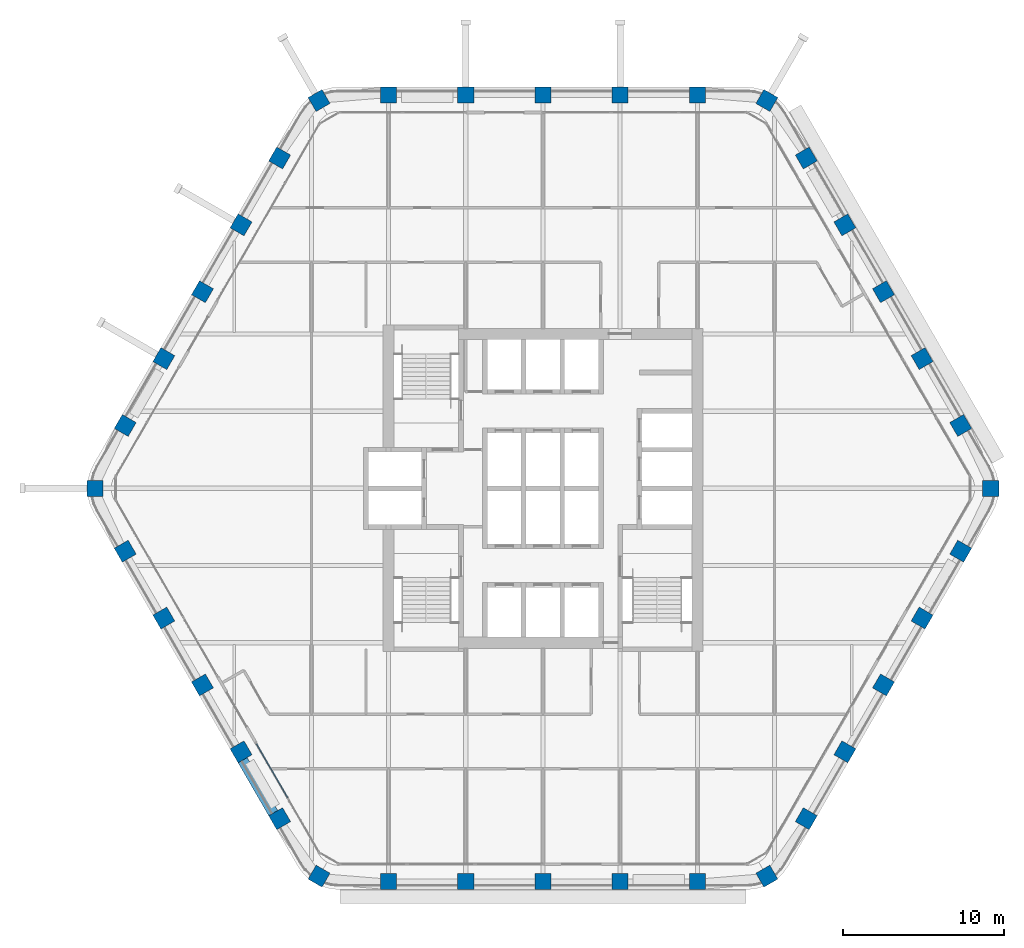
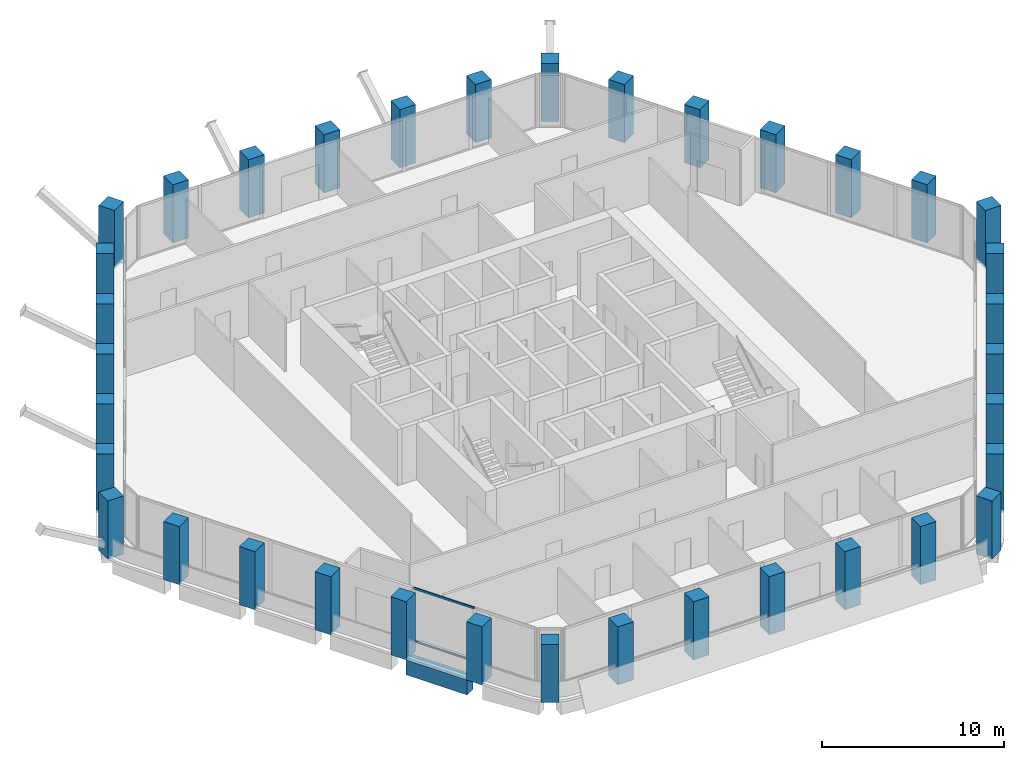
# One storey, part 1 of 16: 36 columns, 2 members, 1 beam, 1 element without a shape of its own.
"""IFC4 building model written with IfcOpenShell, lengths in metres."""

from ifc_helpers import new_model, si_unit, direction, frame, origin, origin_2d, place, context, subcontext, project, spatial, rectangle, extrude, material, material_profile, profile_set, type_object, element, aggregate, save


model = new_model("IFC4")

# Units and contexts
model_context = context("Model", 3, precision=1e-05, world=origin(), true_north=direction((0.0, 1.0)))
body_context = subcontext(model_context, "Body", "Model", "MODEL_VIEW")
ifc_project = project(units=[si_unit("LENGTHUNIT", "METRE"), si_unit("AREAUNIT", "SQUARE_METRE"), si_unit("VOLUMEUNIT", "CUBIC_METRE"), si_unit("PLANEANGLEUNIT", "RADIAN"), si_unit("MASSUNIT", "GRAM", prefix="KILO")], contexts=[model_context])

# Site, building, storey
site_placement = place(None, origin())
site = spatial("IfcSite", under=ifc_project, at=site_placement, CompositionType="ELEMENT")
building_placement = place(site_placement, origin())
building = spatial("IfcBuilding", under=site, at=building_placement, Name="Kolab Exchange Tower", CompositionType="ELEMENT")
storey_placement = place(building_placement, frame((0.0, 0.0, 146.60009765625)))
storey = spatial("IfcBuildingStorey", under=building, at=storey_placement, Name="L29", CompositionType="ELEMENT", Elevation=146.60009765625)

# Columns
ifc_material_1 = material(Name="Concrete C60/75", Category="concrete")
ifc_material_profile_1 = material_profile(ifc_material_1, rectangle(XDim=1.0, YDim=1.0, at=origin_2d()), Name="RC1000")
ifc_profile_set_1 = profile_set([ifc_material_profile_1], Name="Concrete C60/75")
column_type = type_object("IfcColumnType", Name="PERIMETER COLUMN 1000 SQ C60/75", PredefinedType="COLUMN", material=ifc_profile_set_1)
for number, where, z_axis, x_axis, name in (
    (1, (-13.91796875, 24.106689453125, -0.150146484375), (0.0, 0.0, 1.0), (0.866025403784, 0.5, 0.0), "col/L29/F1-01"),
    (2, (-9.60009765625, 24.441650390625, -0.150146484375), (0.0, 0.0, 1.0), (1.0, 0.0, 0.0), "col/L29/F1-02"),
    (3, (-4.800048828125, 24.441650390625, -0.150146484375), (0.0, 0.0, 1.0), (1.0, 0.0, 0.0), "col/L29/F1-03"),
    (4, (0.0, 24.441650390625, -0.150146484375), (0.0, 0.0, 1.0), (1.0, 0.0, 0.0), "col/L29/F1-04"),
    (5, (4.800048828125, 24.441650390625, -0.150146484375), (0.0, 0.0, 1.0), (1.0, 0.0, 0.0), "col/L29/F1-05"),
    (6, (9.60009765625, 24.441650390625, -0.150146484375), (0.0, 0.0, 1.0), (1.0, 0.0, 0.0), "col/L29/F1-06"),
    (7, (13.91796875, 24.106689453125, -0.150146484375), (0.0, 0.0, 1.0), (0.5, 0.866025403784, 0.0), "col/L29/F2-01"),
    (8, (16.366943359375, 20.53466796875, -0.150146484375), (0.0, 0.0, 1.0), (0.866025403784, 0.5, 0.0), "col/L29/F2-02"),
    (9, (18.76708984375, 16.377685546875, -0.150146484375), (0.0, 0.0, 1.0), (0.866025403784, 0.5, 0.0), "col/L29/F2-03"),
    (10, (21.1669921875, 12.220703125, -0.150146484375), (0.0, 0.0, 1.0), (0.866025403784, 0.5, 0.0), "col/L29/F2-04"),
    (11, (23.56689453125, 8.06396484375, -0.150146484375), (0.0, 0.0, 1.0), (0.866025403784, 0.5, 0.0), "col/L29/F2-05"),
    (12, (25.967041015625, 3.906982421875, -0.150146484375), (0.0, 0.0, 1.0), (0.866025403784, 0.5, 0.0), "col/L29/F2-06"),
    (13, (27.8359375, 0.0, -0.150146484375), (0.0, 0.0, 1.0), (1.0, 0.0, 0.0), "col/L29/F3-01"),
    (14, (25.967041015625, -3.906982421875, -0.150146484375), (0.0, 0.0, 1.0), (0.5, 0.866025403784, 0.0), "col/L29/F3-02"),
    (15, (23.56689453125, -8.06396484375, -0.150146484375), (0.0, 0.0, 1.0), (0.5, 0.866025403784, 0.0), "col/L29/F3-03"),
    (16, (21.1669921875, -12.220703125, -0.150146484375), (0.0, 0.0, 1.0), (0.5, 0.866025403784, 0.0), "col/L29/F3-04"),
    (17, (18.76708984375, -16.377685546875, -0.150146484375), (0.0, 0.0, 1.0), (0.5, 0.866025403784, 0.0), "col/L29/F3-05"),
    (18, (16.366943359375, -20.53466796875, -0.150146484375), (0.0, 0.0, 1.0), (0.5, 0.866025403784, 0.0), "col/L29/F3-06"),
    (19, (13.91796875, -24.106689453125, -0.150146484375), (0.0, 0.0, 1.0), (0.866025403784, 0.5, 0.0), "col/L29/F4-01"),
    (20, (9.60009765625, -24.441650390625, -0.150146484375), (0.0, 0.0, 1.0), (1.0, 0.0, 0.0), "col/L29/F4-02"),
    (21, (4.800048828125, -24.441650390625, -0.150146484375), (0.0, 0.0, 1.0), (1.0, 0.0, 0.0), "col/L29/F4-03"),
    (22, (0.0, -24.441650390625, -0.150146484375), (0.0, 0.0, 1.0), (1.0, 0.0, 0.0), "col/L29/F4-04"),
    (23, (-4.800048828125, -24.441650390625, -0.150146484375), (0.0, 0.0, 1.0), (1.0, 0.0, 0.0), "col/L29/F4-05"),
    (24, (-9.60009765625, -24.441650390625, -0.150146484375), (0.0, 0.0, 1.0), (1.0, 0.0, 0.0), "col/L29/F4-06"),
    (25, (-13.91796875, -24.106689453125, -0.150146484375), (0.0, 0.0, 1.0), (0.5, 0.866025403784, 0.0), "col/L29/F5-01"),
    (26, (-16.366943359375, -20.53466796875, -0.150146484375), (0.0, 0.0, 1.0), (0.866025403784, 0.5, 0.0), "col/L29/F5-02"),
    (27, (-18.76708984375, -16.377685546875, -0.150146484375), (0.0, 0.0, 1.0), (0.866025403784, 0.5, 0.0), "col/L29/F5-03"),
    (28, (-21.1669921875, -12.220703125, -0.150146484375), (0.0, 0.0, 1.0), (0.866025403784, 0.5, 0.0), "col/L29/F5-04"),
    (29, (-23.56689453125, -8.06396484375, -0.150146484375), (0.0, 0.0, 1.0), (0.866025403784, 0.5, 0.0), "col/L29/F5-05"),
    (30, (-25.967041015625, -3.906982421875, -0.150146484375), (0.0, 0.0, 1.0), (0.866025403784, 0.5, 0.0), "col/L29/F5-06"),
    (31, (-27.8359375, 0.0, -0.150146484375), (0.0, 0.0, 1.0), (1.0, 0.0, 0.0), "col/L29/F6-01"),
    (32, (-25.967041015625, 3.906982421875, -0.150146484375), (0.0, 0.0, 1.0), (0.5, 0.866025403784, 0.0), "col/L29/F6-02"),
    (33, (-23.56689453125, 8.06396484375, -0.150146484375), (0.0, 0.0, 1.0), (0.5, 0.866025403784, 0.0), "col/L29/F6-03"),
    (34, (-21.1669921875, 12.220703125, -0.150146484375), (0.0, 0.0, 1.0), (0.5, 0.866025403784, 0.0), "col/L29/F6-04"),
    (35, (-18.76708984375, 16.377685546875, -0.150146484375), (0.0, 0.0, 1.0), (0.5, 0.866025403784, 0.0), "col/L29/F6-05"),
    (36, (-16.366943359375, 20.53466796875, -0.150146484375), (0.0, 0.0, 1.0), (0.5, 0.866025403784, 0.0), "col/L29/F6-06"),
):
    element("IfcColumn", number, at=place(storey_placement, frame(where, z_axis=z_axis, x_axis=x_axis)), inside=storey, type_object=column_type, Name=name, PredefinedType="COLUMN", context=body_context, shape_type="SweptSolid", body=[
        extrude(rectangle(XDim=1.0, YDim=1.0, at=origin_2d()), origin(), (0.0, 0.0, 1.0), 3.900146484375),
    ])

# Beam
ifc_material_profile_2 = material_profile(ifc_material_1, rectangle(XDim=0.64990234375, YDim=1.0, at=origin_2d()), Name="RC650X1000")
ifc_profile_set_2 = profile_set([ifc_material_profile_2], Name="Concrete C60/75")
beam_type = type_object("IfcBeamType", Name="SPANDREL BEAM 650X1000 C60/75", PredefinedType="BEAM", material=ifc_profile_set_2)
beam_placement = place(storey_placement, frame((-16.74853515625, -20.2236328125, -0.650146484375), z_axis=(-0.499996613652, 0.866027358884, 0.0), x_axis=(-0.866027358884, -0.499996613652, 0.0)))
element("IfcBeam", 37, at=beam_placement, inside=storey, type_object=beam_type, Name="beam/L29/sp/F5-02", PredefinedType="BEAM", context=body_context, shape_type="SweptSolid", body=[
    extrude(rectangle(XDim=0.64990234375, YDim=1.0, at=origin_2d()), origin(), (0.0, 0.0, 1.0), 3.8798828125),
])

# Curtain wall, members
ifc_material_2 = material(Name="Aluminium EN AW-6063 T6", Category="aluminium")
curtain_wall_type = type_object("IfcCurtainWallType", Name="UNITISED UPPER MID ZONE CURTAIN WALL", PredefinedType="NOTDEFINED", material=ifc_material_2)
curtain_wall_placement = place(storey_placement, origin())
curtain_wall = element("IfcCurtainWall", 38, at=curtain_wall_placement, inside=storey, type_object=curtain_wall_type, Name="cw/L29/F5-1", PredefinedType="NOTDEFINED")
ifc_material_profile_3 = material_profile(ifc_material_2, rectangle(XDim=0.06005859375, YDim=0.139892578125, at=origin_2d()), Name="RECT 60X140")
ifc_profile_set_3 = profile_set([ifc_material_profile_3], Name="Aluminium EN AW-6063 T6")
member_type = type_object("IfcMemberType", Name="UNITISED UPPER MID ZONE TRANSOM 60 X 140", PredefinedType="USERDEFINED", material=ifc_profile_set_3)
member_1_placement = place(storey_placement, frame((-15.879638671875, -19.21875, 0.02978515625), z_axis=(-0.500011990396, 0.866018481016, 0.0), x_axis=(-0.866018481016, -0.500011990396, 0.0)))
member_1 = element("IfcMember", 39, at=member_1_placement, type_object=member_type, Name="CW3 transom 2.1", ObjectType="TRANSOM", PredefinedType="USERDEFINED", context=body_context, shape_type="SweptSolid", body=[
    extrude(rectangle(XDim=0.06005859375, YDim=0.139892578125, at=origin_2d()), origin(), (0.0, 0.0, 1.0), 3.84423828125),
])
member_2_placement = place(storey_placement, frame((-15.879638671875, -19.21875, 3.56982421875), z_axis=(-0.500011990396, 0.866018481016, 0.0), x_axis=(-0.866018481016, -0.500011990396, 0.0)))
member_2 = element("IfcMember", 40, at=member_2_placement, type_object=member_type, Name="CW3 transom 2.2", ObjectType="TRANSOM", PredefinedType="USERDEFINED", context=body_context, shape_type="SweptSolid", body=[
    extrude(rectangle(XDim=0.06005859375, YDim=0.139892578125, at=origin_2d()), origin(), (0.0, 0.0, 1.0), 3.84423828125),
])
aggregate(curtain_wall, [member_1, member_2])

save(model, "model.ifc")
